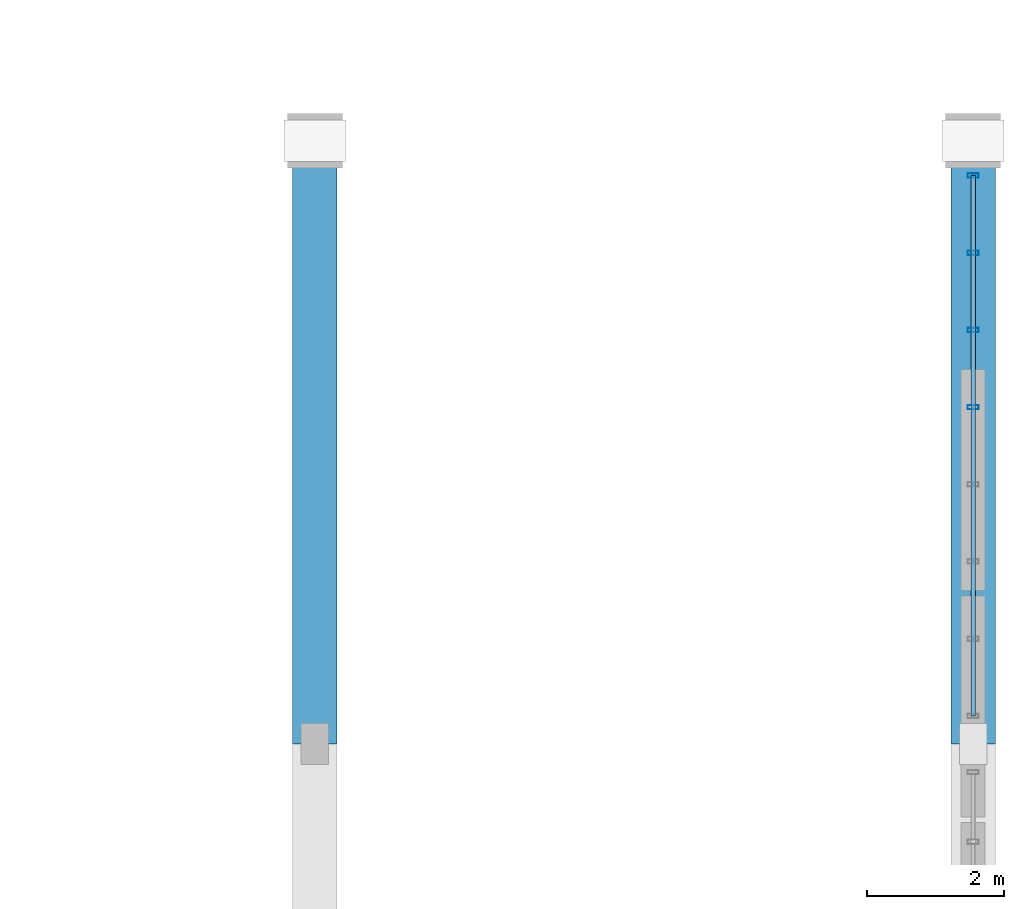
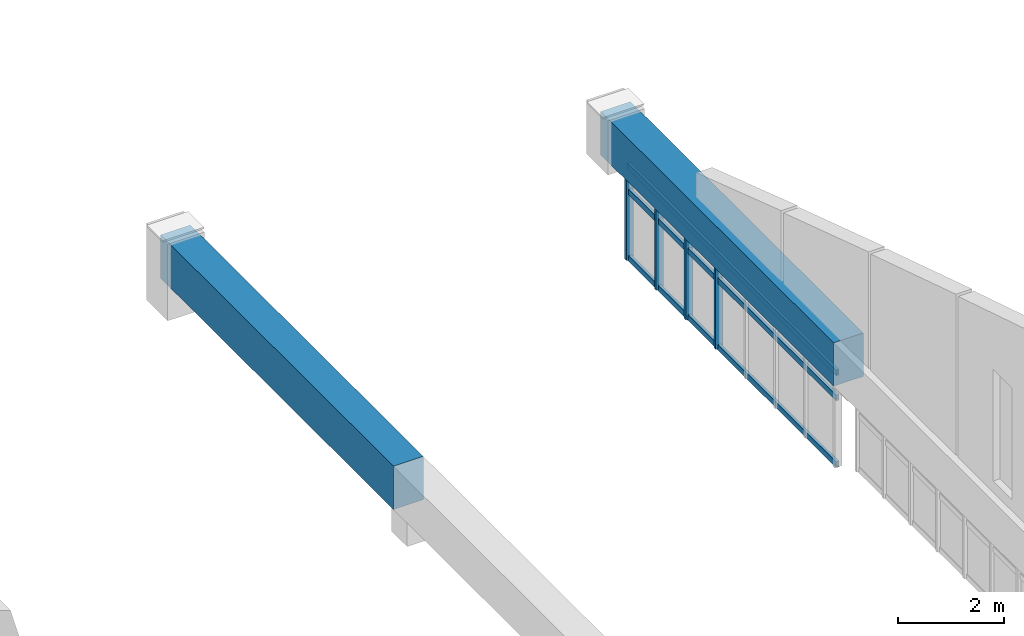
# One storey, part 30 of 65: 7 members, 2 beams, 1 element without a shape of its own.
"""IFC4 building model written with IfcOpenShell, lengths in metres."""

import ifcopenshell
import ifcopenshell.guid

model = None  # the IFC model being written
_history = None  # IfcOwnerHistory: only IFC2X3 demands one
_inside = {}  # id of a spatial element -> (the spatial element, [elements in it])
_under = {}  # id of a project, library or spatial element -> (it, [spatial elements below it])
_declared = {}  # id of a project -> (the project, [libraries it declares])
_typed = {}  # id of a type object -> (the type object, [elements of that type])
_made_of = {}  # id of a material, layer set ... -> (it, [elements and type objects made of it])


def new_model(schema):
    """Start an empty IFC model of exactly this schema.

    Asked for "IFC4X3", IfcOpenShell would pick the latest addendum, in which some entities
    have other attributes; the version numbers below select the first issue.
    IFC2X3 requires an IfcOwnerHistory on every rooted entity: one is made here for all.
    """
    global model, _history
    if schema == "IFC4X3":
        model = ifcopenshell.file(schema_version=(4, 3, 0, 0))
    else:
        model = ifcopenshell.file(schema=schema)
    _inside.clear()
    _under.clear()
    _declared.clear()
    _typed.clear()
    _made_of.clear()
    _history = None
    if model.schema == "IFC2X3":
        org = make("IfcOrganization", Name="unknown")
        user = make(
            "IfcPersonAndOrganization",
            ThePerson=make("IfcPerson", FamilyName="unknown"),
            TheOrganization=org,
        )
        app = make(
            "IfcApplication",
            ApplicationDeveloper=org,
            Version="unknown",
            ApplicationFullName="unknown",
            ApplicationIdentifier="unknown",
        )
        _history = make(
            "IfcOwnerHistory",
            OwningUser=user,
            OwningApplication=app,
            ChangeAction="ADDED",
            CreationDate=0,
        )
    return model


def make(cls, **values):
    """One entity of the class cls with the attributes given. An attribute that is None is left unset."""
    return model.create_entity(
        cls, **{name: value for name, value in values.items() if value is not None}
    )


def rooted(cls, **values):
    """An entity with a GlobalId (a new one), such as an element, a storey or a relation."""
    return make(cls, GlobalId=ifcopenshell.guid.new(), OwnerHistory=_history, **values)


def si_unit(unit_type, name, prefix=None):
    """IfcSIUnit, for example si_unit("LENGTHUNIT", "METRE", prefix="MILLI")."""
    return make("IfcSIUnit", UnitType=unit_type, Prefix=prefix, Name=name)


def assignment(units):
    """IfcUnitAssignment: the units of a project."""
    return None if units is None else make("IfcUnitAssignment", Units=units)


def point(xyz):
    """IfcCartesianPoint."""
    return None if xyz is None else make("IfcCartesianPoint", Coordinates=xyz)


def direction(xyz):
    """IfcDirection."""
    return None if xyz is None else make("IfcDirection", DirectionRatios=xyz)


def frame(location, z_axis=None, x_axis=None):
    """IfcAxis2Placement3D, a coordinate frame: its origin and axes. An axis left out is left unset."""
    return make(
        "IfcAxis2Placement3D",
        Location=point(location),
        Axis=direction(z_axis),
        RefDirection=direction(x_axis),
    )


def frame_2d(location, x_axis=None):
    """IfcAxis2Placement2D, a coordinate frame in the plane: its origin and x axis."""
    return make(
        "IfcAxis2Placement2D", Location=point(location), RefDirection=direction(x_axis)
    )


def origin():
    """The frame at (0, 0, 0) with its axes left unset."""
    return frame((0.0, 0.0, 0.0))


def origin_2d():
    """The frame at (0, 0) in the plane with its x axis left unset."""
    return frame_2d((0.0, 0.0))


def place(relative_to, where):
    """IfcLocalPlacement: puts the frame where relative to a parent placement (None: the world)."""
    return make(
        "IfcLocalPlacement", PlacementRelTo=relative_to, RelativePlacement=where
    )


def context(
    kind, dimensions, precision=None, world=None, true_north=None, identifier=None
):
    """IfcGeometricRepresentationContext, for example the 3D "Model" context."""
    return make(
        "IfcGeometricRepresentationContext",
        ContextIdentifier=identifier,
        ContextType=kind,
        CoordinateSpaceDimension=dimensions,
        Precision=precision,
        WorldCoordinateSystem=world,
        TrueNorth=true_north,
    )


def subcontext(parent, identifier, kind, view, scale=None):
    """IfcGeometricRepresentationSubContext, for example "Body" below "Model"."""
    return make(
        "IfcGeometricRepresentationSubContext",
        ContextIdentifier=identifier,
        ContextType=kind,
        ParentContext=parent,
        TargetScale=scale,
        TargetView=view,
    )


def project(units=None, contexts=None):
    """IfcProject with its units and contexts."""
    return rooted(
        "IfcProject",
        Name="project",
        RepresentationContexts=contexts,
        UnitsInContext=assignment(units),
    )


def spatial(cls, under=None, at=None, **own):
    """A site, building, storey or space (cls), placed at a placement, below another one or the project."""
    s = rooted(cls, ObjectPlacement=at, **own)
    if under is not None:
        _under.setdefault(under.id(), (under, []))[1].append(s)
    return s


def profile(cls, at=None, kind="AREA", **sizes):
    """A parametric profile (cls). Its sizes go by their IFC names, for example OverallWidth=200.0."""
    return make(cls, ProfileType=kind, Position=at, **sizes)


def rectangle(**sizes):
    """IfcRectangleProfileDef."""
    return profile("IfcRectangleProfileDef", **sizes)


def hollow_rectangle(**sizes):
    """IfcRectangleHollowProfileDef."""
    return profile("IfcRectangleHollowProfileDef", **sizes)


def extrude(swept, where, along, depth):
    """IfcExtrudedAreaSolid: the profile swept, set in the frame where, extruded along a direction by depth."""
    return make(
        "IfcExtrudedAreaSolid",
        SweptArea=swept,
        Position=where,
        ExtrudedDirection=direction(along),
        Depth=depth,
    )


def shape(context_of_items, identifier, shape_type, items):
    """IfcShapeRepresentation: the items that make up one representation, for example the "Body"."""
    return make(
        "IfcShapeRepresentation",
        ContextOfItems=context_of_items,
        RepresentationIdentifier=identifier,
        RepresentationType=shape_type,
        Items=items,
    )


def material(Name=None, Category=None):
    """IfcMaterial."""
    return make("IfcMaterial", Name=Name, Category=Category)


def layer(
    of_material, thickness, ventilated=None, Name=None, Category=None, Priority=None
):
    """IfcMaterialLayer: one layer of a wall or slab, of a material (None: an air gap)."""
    return make(
        "IfcMaterialLayer",
        Material=of_material,
        LayerThickness=thickness,
        IsVentilated=ventilated,
        Name=Name,
        Category=Category,
        Priority=Priority,
    )


def layer_set(layers, Name=None):
    """IfcMaterialLayerSet."""
    return make("IfcMaterialLayerSet", MaterialLayers=layers, LayerSetName=Name)


def material_profile(
    of_material, cross_section, Name=None, Category=None, Priority=None
):
    """IfcMaterialProfile: a cross section and its material."""
    return make(
        "IfcMaterialProfile",
        Name=Name,
        Material=of_material,
        Profile=cross_section,
        Priority=Priority,
        Category=Category,
    )


def profile_set(profiles, Name=None, composite=None):
    """IfcMaterialProfileSet."""
    return make(
        "IfcMaterialProfileSet",
        Name=Name,
        MaterialProfiles=profiles,
        CompositeProfile=composite,
    )


def made_of(thing, what):
    """Note that an element or type object is made of a material, layer set ...; save() writes the relation."""
    if what is not None:
        _made_of.setdefault(what.id(), (what, []))[1].append(thing)
    return thing


def type_object(cls, material=None, **own):
    """A type object (cls), such as IfcWallType, which elements share."""
    return made_of(rooted(cls, **own), material)


def element(
    cls,
    number,
    at=None,
    inside=None,
    cuts=None,
    type_object=None,
    material=None,
    context=None,
    identifier="Body",
    shape_type=None,
    held_by="IfcProductDefinitionShape",
    body=None,
    shapes=None,
    **own,
):
    """One element of the class cls, such as IfcWall. Its Tag is "e" and its number.

    at: its placement. inside: the storey or other place that contains it. cuts: it is an
    opening in that element (IfcRelVoidsElement). A single representation is given by context,
    identifier, shape_type and body (its items); several are given by shapes. held_by: the class
    of the entity that holds the representations. save() writes the other relations.
    """
    e = rooted(cls, Tag="e%d" % number, ObjectPlacement=at, **own)
    if body is not None:
        shapes = [shape(context, identifier, shape_type, body)]
    if shapes is not None:
        e.Representation = make(held_by, Representations=shapes)
    if inside is not None:
        _inside.setdefault(inside.id(), (inside, []))[1].append(e)
    if cuts is not None:
        rooted(
            "IfcRelVoidsElement", RelatingBuildingElement=cuts, RelatedOpeningElement=e
        )
    if type_object is not None:
        _typed.setdefault(type_object.id(), (type_object, []))[1].append(e)
    return made_of(e, material)


def aggregate(whole, parts):
    """IfcRelAggregates: a whole, such as a stair, and the parts it consists of."""
    return rooted("IfcRelAggregates", RelatingObject=whole, RelatedObjects=parts)


def save(model, path):
    """Write the relations noted so far, then the file.

    IfcRelAggregates (storeys below a building ...), IfcRelContainedInSpatialStructure (elements
    in a storey), IfcRelDefinesByType, IfcRelAssociatesMaterial and IfcRelDeclares: one each for
    every whole, place, type object, material and project.
    """
    for whole, parts in _under.values():
        aggregate(whole, parts)
    for where, things in _inside.values():
        rooted(
            "IfcRelContainedInSpatialStructure",
            RelatedElements=things,
            RelatingStructure=where,
        )
    for kind, things in _typed.values():
        rooted("IfcRelDefinesByType", RelatedObjects=things, RelatingType=kind)
    for what, things in _made_of.values():
        rooted("IfcRelAssociatesMaterial", RelatedObjects=things, RelatingMaterial=what)
    for by, libraries in _declared.values():
        rooted("IfcRelDeclares", RelatingContext=by, RelatedDefinitions=libraries)
    model.write(path)


model = new_model("IFC4")

# Units and contexts
model_context = context("Model", 3, precision=1e-05, world=origin(), true_north=direction((0.0, 1.0)))
body_context = subcontext(model_context, "Body", "Model", "MODEL_VIEW")
ifc_project = project(units=[si_unit("LENGTHUNIT", "METRE"), si_unit("AREAUNIT", "SQUARE_METRE"), si_unit("VOLUMEUNIT", "CUBIC_METRE"), si_unit("PLANEANGLEUNIT", "RADIAN"), si_unit("MASSUNIT", "GRAM", prefix="KILO")], contexts=[model_context])

# Site, building, storey
site_placement = place(None, origin())
site = spatial("IfcSite", under=ifc_project, at=site_placement, CompositionType="ELEMENT")
building_placement = place(site_placement, origin())
building = spatial("IfcBuilding", under=site, at=building_placement, Name="Chalmorin Arch Market", CompositionType="ELEMENT")
storey_placement = place(building_placement, frame((0.0, 0.0, 14.10009765625)))
storey = spatial("IfcBuildingStorey", under=building, at=storey_placement, Name="L03", CompositionType="ELEMENT", Elevation=14.10009765625)

# Beams
ifc_material_1 = material(Name="Concrete C50/60", Category="concrete")
ifc_material_profile_1 = material_profile(ifc_material_1, rectangle(XDim=0.64990234375, YDim=1.0, at=origin_2d()), Name="RC650X1000")
ifc_profile_set_1 = profile_set([ifc_material_profile_1], Name="Concrete C50/60")
beam_type = type_object("IfcBeamType", Name="ArchTieGirder-650x1000", PredefinedType="BEAM", material=ifc_profile_set_1)
for number, where, z_axis, x_axis, name in (
    (1, (115.199951171875, 50.0, 1.216552734375), (0.0, 1.0, 0.0), (-1.0, 0.0, 0.0), "ATG-01-1736"),
    (2, (124.800048828125, 50.0, 0.699951171875), (0.0, 1.0, 0.0), (-1.0, 0.0, 0.0), "ATG-01-1755"),
):
    element("IfcBeam", number, at=place(storey_placement, frame(where, z_axis=z_axis, x_axis=x_axis)), inside=storey, type_object=beam_type, Name=name, PredefinedType="BEAM", context=body_context, shape_type="SweptSolid", body=[
        extrude(rectangle(XDim=0.64990234375, YDim=1.0, at=origin_2d()), origin(), (0.0, 0.0, 1.0), 8.800048828125),
    ])

# Curtain wall, members
ifc_material_2 = material(Name="Aluminium 6063-T6", Category="aluminium")
ifc_layer = layer(ifc_material_2, 0.159912109375)
ifc_layer_set = layer_set([ifc_layer], Name="Aluminium 6063-T6")
curtain_wall_type = type_object("IfcCurtainWallType", Name="GableTympanumCurtainWall-CW4-7880x2180", PredefinedType="NOTDEFINED", material=ifc_layer_set)
curtain_wall_placement = place(storey_placement, origin())
curtain_wall = element("IfcCurtainWall", 3, at=curtain_wall_placement, inside=storey, type_object=curtain_wall_type, Name="CW-04-044", PredefinedType="NOTDEFINED")
ifc_material_profile_2 = material_profile(ifc_material_2, hollow_rectangle(XDim=0.06494140625, YDim=0.159912109375, WallThickness=0.00390625, at=origin_2d()), Name="ALU65X160X4")
ifc_profile_set_2 = profile_set([ifc_material_profile_2], Name="Aluminium 6063-T6")
member_type_1 = type_object("IfcMemberType", Name="CurtainWallMullion-65x160", PredefinedType="MULLION", material=ifc_profile_set_2)
member_1_placement = place(storey_placement, frame((124.800048828125, 54.912841796875, -2.0), z_axis=(0.0, 0.0, 1.0), x_axis=(0.0, 1.0, 0.0)))
member_1 = element("IfcMember", 4, at=member_1_placement, type_object=member_type_1, Name="ML-044-05", PredefinedType="MULLION", context=body_context, shape_type="SweptSolid", body=[
    extrude(hollow_rectangle(XDim=0.06494140625, YDim=0.159912109375, WallThickness=0.00390625, at=origin_2d()), origin(), (0.0, 0.0, 1.0), 2.184814453125),
])
member_2_placement = place(storey_placement, frame((124.800048828125, 56.03857421875, -2.0), z_axis=(0.0, 0.0, 1.0), x_axis=(0.0, 1.0, 0.0)))
member_2 = element("IfcMember", 5, at=member_2_placement, type_object=member_type_1, Name="ML-044-06", PredefinedType="MULLION", context=body_context, shape_type="SweptSolid", body=[
    extrude(hollow_rectangle(XDim=0.06494140625, YDim=0.159912109375, WallThickness=0.00390625, at=origin_2d()), origin(), (0.0, 0.0, 1.0), 2.184814453125),
])
member_3_placement = place(storey_placement, frame((124.800048828125, 57.164306640625, -2.0), z_axis=(0.0, 0.0, 1.0), x_axis=(0.0, 1.0, 0.0)))
member_3 = element("IfcMember", 6, at=member_3_placement, type_object=member_type_1, Name="ML-044-07", PredefinedType="MULLION", context=body_context, shape_type="SweptSolid", body=[
    extrude(hollow_rectangle(XDim=0.06494140625, YDim=0.159912109375, WallThickness=0.00390625, at=origin_2d()), origin(), (0.0, 0.0, 1.0), 2.184814453125),
])
member_4_placement = place(storey_placement, frame((124.800048828125, 58.2900390625, -2.0), z_axis=(0.0, 0.0, 1.0), x_axis=(0.0, 1.0, 0.0)))
member_4 = element("IfcMember", 7, at=member_4_placement, type_object=member_type_1, Name="ML-044-08", PredefinedType="MULLION", context=body_context, shape_type="SweptSolid", body=[
    extrude(hollow_rectangle(XDim=0.06494140625, YDim=0.159912109375, WallThickness=0.00390625, at=origin_2d()), origin(), (0.0, 0.0, 1.0), 2.184814453125),
])
ifc_material_profile_3 = material_profile(ifc_material_2, hollow_rectangle(XDim=0.06494140625, YDim=0.1298828125, WallThickness=0.00390625, at=origin_2d()), Name="ALU65X130X4")
ifc_profile_set_3 = profile_set([ifc_material_profile_3], Name="Aluminium 6063-T6")
member_type_2 = type_object("IfcMemberType", Name="CurtainWallTransom-65x130", PredefinedType="USERDEFINED", material=ifc_profile_set_3)
member_5_placement = place(storey_placement, frame((124.800048828125, 50.409912109375, -1.965087890625), z_axis=(0.0, 1.0, 0.0), x_axis=(-1.0, 0.0, 0.0)))
member_5 = element("IfcMember", 8, at=member_5_placement, type_object=member_type_2, Name="TR-044-01", ObjectType="TRANSOM", PredefinedType="USERDEFINED", context=body_context, shape_type="SweptSolid", body=[
    extrude(hollow_rectangle(XDim=0.06494140625, YDim=0.1298828125, WallThickness=0.00390625, at=origin_2d()), origin(), (0.0, 0.0, 1.0), 7.880126953125),
])
member_6_placement = place(storey_placement, frame((124.800048828125, 50.409912109375, -0.427001953125), z_axis=(0.0, 1.0, 0.0), x_axis=(-1.0, 0.0, 0.0)))
member_6 = element("IfcMember", 9, at=member_6_placement, type_object=member_type_2, Name="TR-044-02", ObjectType="TRANSOM", PredefinedType="USERDEFINED", context=body_context, shape_type="SweptSolid", body=[
    extrude(hollow_rectangle(XDim=0.06494140625, YDim=0.1298828125, WallThickness=0.00390625, at=origin_2d()), origin(), (0.0, 0.0, 1.0), 7.880126953125),
])
member_7_placement = place(storey_placement, frame((124.800048828125, 50.409912109375, 0.14990234375), z_axis=(0.0, 1.0, 0.0), x_axis=(-1.0, 0.0, 0.0)))
member_7 = element("IfcMember", 10, at=member_7_placement, type_object=member_type_2, Name="TR-044-03", ObjectType="TRANSOM", PredefinedType="USERDEFINED", context=body_context, shape_type="SweptSolid", body=[
    extrude(hollow_rectangle(XDim=0.06494140625, YDim=0.1298828125, WallThickness=0.00390625, at=origin_2d()), origin(), (0.0, 0.0, 1.0), 7.880126953125),
])
aggregate(curtain_wall, [member_1, member_2, member_3, member_4, member_5, member_6, member_7])

save(model, "model.ifc")
